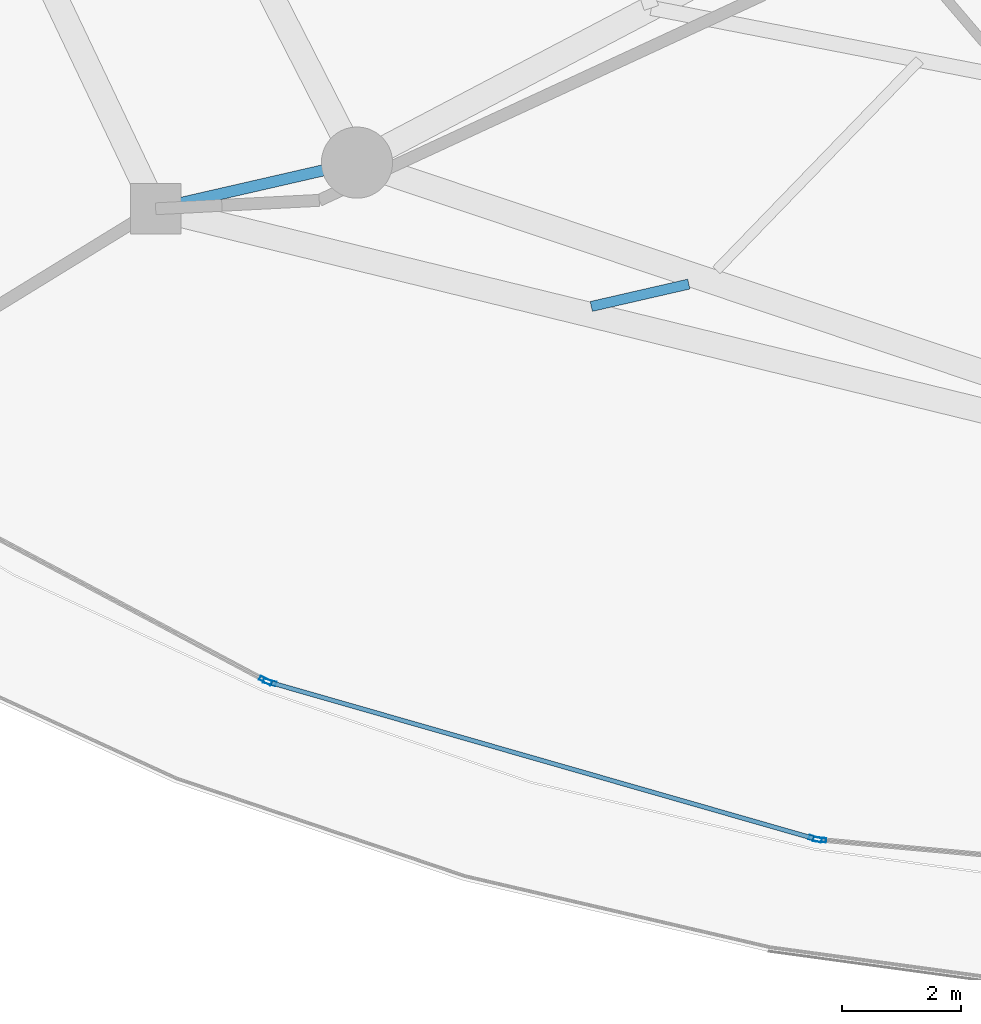
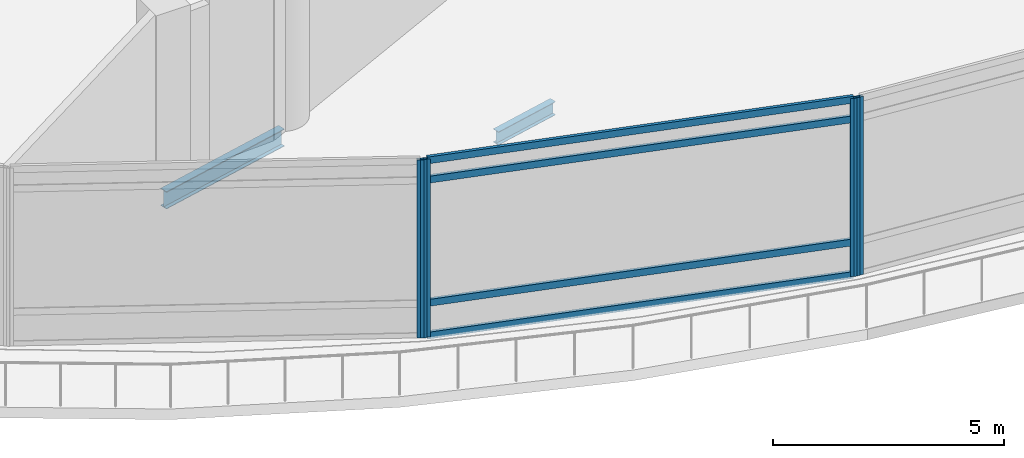
# One storey, part 3 of 37: 8 members, 2 beams, 3 elements without a shape of their own.
"""IFC4 building model written with IfcOpenShell, lengths in metres."""

from ifc_helpers import new_model, si_unit, direction, frame, origin, origin_2d, place, context, subcontext, project, spatial, hollow_rectangle, i_section, extrude, material, layer, layer_set, material_profile, profile_set, type_object, element, aggregate, save


model = new_model("IFC4")

# Units and contexts
model_context = context("Model", 3, precision=1e-05, world=origin(), true_north=direction((0.0, 1.0)))
body_context = subcontext(model_context, "Body", "Model", "MODEL_VIEW")
ifc_project = project(units=[si_unit("LENGTHUNIT", "METRE"), si_unit("AREAUNIT", "SQUARE_METRE"), si_unit("VOLUMEUNIT", "CUBIC_METRE"), si_unit("PLANEANGLEUNIT", "RADIAN"), si_unit("MASSUNIT", "GRAM", prefix="KILO")], contexts=[model_context])

# Site, building, storey
site_placement = place(None, origin())
site = spatial("IfcSite", under=ifc_project, at=site_placement, CompositionType="ELEMENT")
building_placement = place(site_placement, origin())
building = spatial("IfcBuilding", under=site, at=building_placement, Name="Nuhasar Tower", CompositionType="ELEMENT")
storey_placement = place(building_placement, frame((0.0, 0.0, 6.0)))
storey = spatial("IfcBuildingStorey", under=building, at=storey_placement, Name="L01", CompositionType="ELEMENT", Elevation=6.0)

# Beams
ifc_material_1 = material(Name="Steel S355", Category="steel")
ifc_material_profile_1 = material_profile(ifc_material_1, i_section(OverallWidth=0.1708984375, OverallDepth=0.35205078125, WebThickness=0.0068359375, FlangeThickness=0.009765625, at=origin_2d()), Name="W14X30")
ifc_profile_set_1 = profile_set([ifc_material_profile_1], Name="Steel S355")
beam_type_1 = type_object("IfcBeamType", Name="BM-JST-W14X30", PredefinedType="JOIST", material=ifc_profile_set_1)
beam_1_placement = place(storey_placement, frame((26.882080078125, 10.43310546875, -0.47607421875), z_axis=(-0.97467582406, -0.223622534626, 0.0), x_axis=(0.223622534626, -0.97467582406, 0.0)))
element("IfcBeam", 1, at=beam_1_placement, inside=storey, type_object=beam_type_1, Name="L01 Podium Secondary Joist 01", PredefinedType="JOIST", context=body_context, shape_type="SweptSolid", body=[
    extrude(i_section(OverallWidth=0.1708984375, OverallDepth=0.35205078125, WebThickness=0.0068359375, FlangeThickness=0.009765625, at=origin_2d()), origin(), (0.0, 0.0, 1.0), 1.686767578125),
])
ifc_material_profile_2 = material_profile(ifc_material_1, i_section(OverallWidth=0.18994140625, OverallDepth=0.45703125, WebThickness=0.009033203125, FlangeThickness=0.014404296875, at=origin_2d()), Name="W18X50")
ifc_profile_set_2 = profile_set([ifc_material_profile_2], Name="Steel S355")
beam_type_2 = type_object("IfcBeamType", Name="BM-RAD-W18X50", PredefinedType="BEAM", material=ifc_profile_set_2)
beam_2_placement = place(storey_placement, frame((21.287109375, 12.48095703125, -0.529052734375), z_axis=(-0.974715141502, -0.223451097394, 0.0), x_axis=(0.223451097394, -0.974715141502, 0.0)))
element("IfcBeam", 2, at=beam_2_placement, inside=storey, type_object=beam_type_2, Name="L01 Podium Radial Girder 01", PredefinedType="BEAM", context=body_context, shape_type="SweptSolid", body=[
    extrude(i_section(OverallWidth=0.18994140625, OverallDepth=0.45703125, WebThickness=0.009033203125, FlangeThickness=0.014404296875, at=origin_2d()), origin(), (0.0, 0.0, 1.0), 3.482177734375),
])

# Curtain wall, member
ifc_material_2 = material(Name="Aluminium 6063-T6", Category="aluminium")
ifc_layer = layer(ifc_material_2, 0.219970703125)
ifc_layer_set = layer_set([ifc_layer], Name="Aluminium 6063-T6")
curtain_wall_type = type_object("IfcCurtainWallType", Name="CW-PODIUM", PredefinedType="NOTDEFINED", material=ifc_layer_set)
curtain_wall_1_placement = place(storey_placement, origin())
curtain_wall_1 = element("IfcCurtainWall", 3, at=curtain_wall_1_placement, inside=storey, type_object=curtain_wall_type, Name="L01 Podium Curtain Wall Bay 16", PredefinedType="NOTDEFINED")
ifc_material_profile_3 = material_profile(ifc_material_2, hollow_rectangle(XDim=0.074951171875, YDim=0.219970703125, WallThickness=0.0048828125, at=origin_2d()), Name="CWM-1")
ifc_profile_set_3 = profile_set([ifc_material_profile_3], Name="Aluminium 6063-T6")
member_type_1 = type_object("IfcMemberType", Name="CW-MUL-S1", PredefinedType="MULLION", material=ifc_profile_set_3)
member_1_placement = place(storey_placement, frame((19.746826171875, 3.74658203125, 0.0), z_axis=(0.0, 0.0, 1.0), x_axis=(0.469563312429, 0.882898802593, 0.0)))
member_1 = element("IfcMember", 4, at=member_1_placement, type_object=member_type_1, Name="CW-P1 mullion 2", PredefinedType="MULLION", context=body_context, shape_type="SweptSolid", body=[
    extrude(hollow_rectangle(XDim=0.074951171875, YDim=0.219970703125, WallThickness=0.0048828125, at=origin_2d()), origin(), (0.0, 0.0, 1.0), 4.699951171875),
])
aggregate(curtain_wall_1, [member_1])

# Curtain wall, members
curtain_wall_2_placement = place(storey_placement, origin())
curtain_wall_2 = element("IfcCurtainWall", 5, at=curtain_wall_2_placement, inside=storey, type_object=curtain_wall_type, Name="L01 Podium Curtain Wall Bay 17", PredefinedType="NOTDEFINED")
member_2_placement = place(storey_placement, frame((19.816162109375, 3.71875, 0.0), z_axis=(0.0, 0.0, 1.0), x_axis=(0.275884849146, 0.961190693885, 0.0)))
member_2 = element("IfcMember", 6, at=member_2_placement, type_object=member_type_1, Name="CW-P1 mullion 1", PredefinedType="MULLION", context=body_context, shape_type="SweptSolid", body=[
    extrude(hollow_rectangle(XDim=0.074951171875, YDim=0.219970703125, WallThickness=0.0048828125, at=origin_2d()), origin(), (0.0, 0.0, 1.0), 4.699951171875),
])
member_3_placement = place(storey_placement, frame((29.014892578125, 1.078369140625, 0.0), z_axis=(0.0, 0.0, 1.0), x_axis=(0.275884849146, 0.961190693885, 0.0)))
member_3 = element("IfcMember", 7, at=member_3_placement, type_object=member_type_1, Name="CW-P1 mullion 2", PredefinedType="MULLION", context=body_context, shape_type="SweptSolid", body=[
    extrude(hollow_rectangle(XDim=0.074951171875, YDim=0.219970703125, WallThickness=0.0048828125, at=origin_2d()), origin(), (0.0, 0.0, 1.0), 4.699951171875),
])

# Curtain wall, member
curtain_wall_3_placement = place(storey_placement, origin())
curtain_wall_3 = element("IfcCurtainWall", 8, at=curtain_wall_3_placement, inside=storey, type_object=curtain_wall_type, Name="L01 Podium Curtain Wall Bay 18", PredefinedType="NOTDEFINED")
member_4_placement = place(storey_placement, frame((29.08837890625, 1.064697265625, 0.0), z_axis=(0.0, 0.0, 1.0), x_axis=(0.090887719437, 0.995861146172, 0.0)))
member_4 = element("IfcMember", 9, at=member_4_placement, type_object=member_type_1, Name="CW-P1 mullion 1", PredefinedType="MULLION", context=body_context, shape_type="SweptSolid", body=[
    extrude(hollow_rectangle(XDim=0.074951171875, YDim=0.219970703125, WallThickness=0.0048828125, at=origin_2d()), origin(), (0.0, 0.0, 1.0), 4.699951171875),
])
aggregate(curtain_wall_3, [member_4])

# Member
ifc_material_profile_4 = material_profile(ifc_material_2, hollow_rectangle(XDim=0.074951171875, YDim=0.179931640625, WallThickness=0.00439453125, at=origin_2d()), Name="CWT-1")
ifc_profile_set_4 = profile_set([ifc_material_profile_4], Name="Aluminium 6063-T6")
member_type_2 = type_object("IfcMemberType", Name="CW-TRN-S1", PredefinedType="USERDEFINED", material=ifc_profile_set_4)
member_5_placement = place(storey_placement, frame((19.85205078125, 3.708251953125, 0.03759765625), z_axis=(0.961191424889, -0.275882302297, 0.0), x_axis=(0.275882302297, 0.961191424889, 0.0)))
member_5 = element("IfcMember", 10, at=member_5_placement, type_object=member_type_2, Name="CW-P1 transom 1.1", ObjectType="TRANSOM", PredefinedType="USERDEFINED", context=body_context, shape_type="SweptSolid", body=[
    extrude(hollow_rectangle(XDim=0.074951171875, YDim=0.179931640625, WallThickness=0.00439453125, at=origin_2d()), origin(), (0.0, 0.0, 1.0), 9.495361328125),
])

member_6_placement = place(storey_placement, frame((19.85205078125, 3.708251953125, 0.89990234375), z_axis=(0.961191424889, -0.275882302297, 0.0), x_axis=(0.275882302297, 0.961191424889, 0.0)))
member_6 = element("IfcMember", 11, at=member_6_placement, type_object=member_type_2, Name="CW-P1 transom 1.2", ObjectType="TRANSOM", PredefinedType="USERDEFINED", context=body_context, shape_type="SweptSolid", body=[
    extrude(hollow_rectangle(XDim=0.074951171875, YDim=0.179931640625, WallThickness=0.00439453125, at=origin_2d()), origin(), (0.0, 0.0, 1.0), 9.495361328125),
])

member_7_placement = place(storey_placement, frame((19.85205078125, 3.708251953125, 4.14990234375), z_axis=(0.961191424889, -0.275882302297, 0.0), x_axis=(0.275882302297, 0.961191424889, 0.0)))
member_7 = element("IfcMember", 12, at=member_7_placement, type_object=member_type_2, Name="CW-P1 transom 1.3", ObjectType="TRANSOM", PredefinedType="USERDEFINED", context=body_context, shape_type="SweptSolid", body=[
    extrude(hollow_rectangle(XDim=0.074951171875, YDim=0.179931640625, WallThickness=0.00439453125, at=origin_2d()), origin(), (0.0, 0.0, 1.0), 9.495361328125),
])

member_8_placement = place(storey_placement, frame((19.85205078125, 3.708251953125, 4.66259765625), z_axis=(0.961191424889, -0.275882302297, 0.0), x_axis=(0.275882302297, 0.961191424889, 0.0)))
member_8 = element("IfcMember", 13, at=member_8_placement, type_object=member_type_2, Name="CW-P1 transom 1.4", ObjectType="TRANSOM", PredefinedType="USERDEFINED", context=body_context, shape_type="SweptSolid", body=[
    extrude(hollow_rectangle(XDim=0.074951171875, YDim=0.179931640625, WallThickness=0.00439453125, at=origin_2d()), origin(), (0.0, 0.0, 1.0), 9.495361328125),
])

aggregate(curtain_wall_2, [member_2, member_3, member_5, member_6, member_7, member_8])

save(model, "model.ifc")
